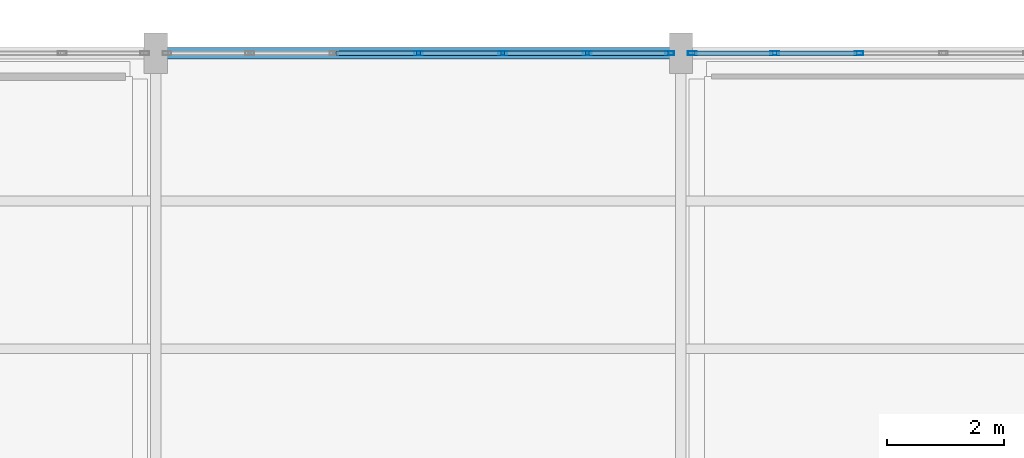
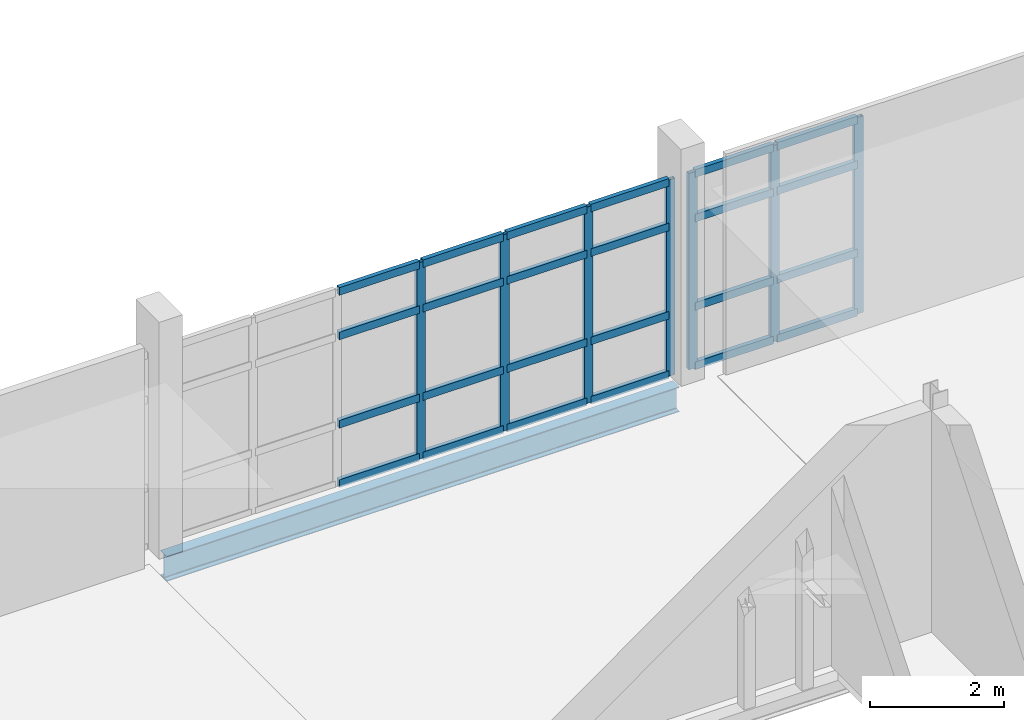
# One storey, part 101 of 174: 31 members, 1 beam, 2 elements without a shape of their own.
"""IFC4 building model written with IfcOpenShell, lengths in metres."""

from ifc_helpers import new_model, si_unit, direction, frame, origin, origin_2d, place, context, subcontext, project, spatial, hollow_rectangle, i_section, extrude, material, material_profile, profile_set, type_object, element, aggregate, save


model = new_model("IFC4")

# Units and contexts
model_context = context("Model", 3, precision=1e-05, world=origin(), true_north=direction((0.0, 1.0)))
body_context = subcontext(model_context, "Body", "Model", "MODEL_VIEW")
ifc_project = project(units=[si_unit("LENGTHUNIT", "METRE"), si_unit("AREAUNIT", "SQUARE_METRE"), si_unit("VOLUMEUNIT", "CUBIC_METRE"), si_unit("PLANEANGLEUNIT", "RADIAN"), si_unit("MASSUNIT", "GRAM", prefix="KILO")], contexts=[model_context])

# Site, building, storey
site_placement = place(None, origin())
site = spatial("IfcSite", under=ifc_project, at=site_placement, CompositionType="ELEMENT")
building_placement = place(site_placement, origin())
building = spatial("IfcBuilding", under=site, at=building_placement, Name="Caisbarro Railhouse Central Library", CompositionType="ELEMENT")
storey_placement = place(building_placement, frame((0.0, 0.0, 5.0400390625)))
storey = spatial("IfcBuildingStorey", under=building, at=storey_placement, Name="L01", CompositionType="ELEMENT", Elevation=5.0400390625)

# Beam
ifc_material_1 = material(Name="Steel ASTM A572 Grade 50", Category="steel")
ifc_material_profile_1 = material_profile(ifc_material_1, i_section(OverallWidth=0.18994140625, OverallDepth=0.45703125, WebThickness=0.009033203125, FlangeThickness=0.014404296875, FilletRadius=0.01806640625, at=origin_2d()), Name="W460X74.0")
ifc_profile_set_1 = profile_set([ifc_material_profile_1], Name="Steel ASTM A572 Grade 50")
beam_type = type_object("IfcBeamType", Name="BM-SP01", PredefinedType="SPANDREL", material=ifc_profile_set_1)
beam_placement = place(storey_placement, frame((81.080078125, 114.0, -0.428466796875), z_axis=(1.0, 0.0, 0.0), x_axis=(0.0, 1.0, 0.0)))
element("IfcBeam", 1, at=beam_placement, inside=storey, type_object=beam_type, Name="SP01 beam L01 #1182", PredefinedType="SPANDREL", context=body_context, shape_type="SweptSolid", body=[
    extrude(i_section(OverallWidth=0.18994140625, OverallDepth=0.45703125, WebThickness=0.009033203125, FlangeThickness=0.014404296875, FilletRadius=0.01806640625, at=origin_2d()), origin(), (0.0, 0.0, 1.0), 8.83984375),
])

# Curtain wall, members
ifc_material_2 = material(Name="Anodised architectural aluminium", Category="aluminium")
curtain_wall_type = type_object("IfcCurtainWallType", Name="CW-CW03", PredefinedType="NOTDEFINED", material=ifc_material_2)
curtain_wall_1_placement = place(storey_placement, origin())
curtain_wall_1 = element("IfcCurtainWall", 2, at=curtain_wall_1_placement, inside=storey, type_object=curtain_wall_type, Name="CW03 curtain wall L01 #177", PredefinedType="NOTDEFINED")
ifc_material_profile_2 = material_profile(ifc_material_2, hollow_rectangle(XDim=0.06494140625, YDim=0.14990234375, WallThickness=0.00390625, at=origin_2d()), Name="ALU-MUL-65X150")
ifc_profile_set_2 = profile_set([ifc_material_profile_2], Name="Anodised architectural aluminium")
member_type_1 = type_object("IfcMemberType", Name="CWM-M02", PredefinedType="MULLION", material=ifc_profile_set_2)
member_1_placement = place(storey_placement, frame((85.5, 114.0, 0.0), z_axis=(0.0, 0.0, 1.0), x_axis=(0.0, 1.0, 0.0)))
member_1 = element("IfcMember", 3, at=member_1_placement, type_object=member_type_1, Name="CW03 mullion 4", PredefinedType="MULLION", context=body_context, shape_type="SweptSolid", body=[
    extrude(hollow_rectangle(XDim=0.06494140625, YDim=0.14990234375, WallThickness=0.00390625, at=origin_2d()), origin(), (0.0, 0.0, 1.0), 3.580078125),
])
member_2_placement = place(storey_placement, frame((86.94677734375, 114.0, 0.0), z_axis=(0.0, 0.0, 1.0), x_axis=(0.0, 1.0, 0.0)))
member_2 = element("IfcMember", 4, at=member_2_placement, type_object=member_type_1, Name="CW03 mullion 5", PredefinedType="MULLION", context=body_context, shape_type="SweptSolid", body=[
    extrude(hollow_rectangle(XDim=0.06494140625, YDim=0.14990234375, WallThickness=0.00390625, at=origin_2d()), origin(), (0.0, 0.0, 1.0), 3.580078125),
])
member_3_placement = place(storey_placement, frame((88.393310546875, 114.0, 0.0), z_axis=(0.0, 0.0, 1.0), x_axis=(0.0, 1.0, 0.0)))
member_3 = element("IfcMember", 5, at=member_3_placement, type_object=member_type_1, Name="CW03 mullion 6", PredefinedType="MULLION", context=body_context, shape_type="SweptSolid", body=[
    extrude(hollow_rectangle(XDim=0.06494140625, YDim=0.14990234375, WallThickness=0.00390625, at=origin_2d()), origin(), (0.0, 0.0, 1.0), 3.580078125),
])
member_4_placement = place(storey_placement, frame((89.8076171875, 114.0, 0.0), z_axis=(0.0, 0.0, 1.0), x_axis=(0.0, 1.0, 0.0)))
member_4 = element("IfcMember", 6, at=member_4_placement, type_object=member_type_1, Name="CW03 mullion 7", PredefinedType="MULLION", context=body_context, shape_type="SweptSolid", body=[
    extrude(hollow_rectangle(XDim=0.06494140625, YDim=0.14990234375, WallThickness=0.00390625, at=origin_2d()), origin(), (0.0, 0.0, 1.0), 3.580078125),
])

curtain_wall_2_placement = place(storey_placement, origin())
curtain_wall_2 = element("IfcCurtainWall", 7, at=curtain_wall_2_placement, inside=storey, type_object=curtain_wall_type, Name="CW03 curtain wall L01 #179", PredefinedType="NOTDEFINED")
member_5_placement = place(storey_placement, frame((90.1923828125, 114.0, 0.0), z_axis=(0.0, 0.0, 1.0), x_axis=(0.0, 1.0, 0.0)))
member_5 = element("IfcMember", 8, at=member_5_placement, type_object=member_type_1, Name="CW03 mullion 1", PredefinedType="MULLION", context=body_context, shape_type="SweptSolid", body=[
    extrude(hollow_rectangle(XDim=0.06494140625, YDim=0.14990234375, WallThickness=0.00390625, at=origin_2d()), origin(), (0.0, 0.0, 1.0), 3.580078125),
])
member_6_placement = place(storey_placement, frame((91.606689453125, 114.0, 0.0), z_axis=(0.0, 0.0, 1.0), x_axis=(0.0, 1.0, 0.0)))
member_6 = element("IfcMember", 9, at=member_6_placement, type_object=member_type_1, Name="CW03 mullion 2", PredefinedType="MULLION", context=body_context, shape_type="SweptSolid", body=[
    extrude(hollow_rectangle(XDim=0.06494140625, YDim=0.14990234375, WallThickness=0.00390625, at=origin_2d()), origin(), (0.0, 0.0, 1.0), 3.580078125),
])
member_7_placement = place(storey_placement, frame((93.05322265625, 114.0, 0.0), z_axis=(0.0, 0.0, 1.0), x_axis=(0.0, 1.0, 0.0)))
member_7 = element("IfcMember", 10, at=member_7_placement, type_object=member_type_1, Name="CW03 mullion 3", PredefinedType="MULLION", context=body_context, shape_type="SweptSolid", body=[
    extrude(hollow_rectangle(XDim=0.06494140625, YDim=0.14990234375, WallThickness=0.00390625, at=origin_2d()), origin(), (0.0, 0.0, 1.0), 3.580078125),
])

# Member
ifc_material_profile_3 = material_profile(ifc_material_2, hollow_rectangle(XDim=0.074951171875, YDim=0.139892578125, WallThickness=0.00390625, at=origin_2d()), Name="ALU-TRN-75X140")
ifc_profile_set_3 = profile_set([ifc_material_profile_3], Name="Anodised architectural aluminium")
member_type_2 = type_object("IfcMemberType", Name="CWT-T01", PredefinedType="USERDEFINED", material=ifc_profile_set_3)
member_8_placement = place(storey_placement, frame((84.0859375, 114.0, 0.037353515625), z_axis=(1.0, 0.0, 0.0), x_axis=(0.0, 1.0, 0.0)))
member_8 = element("IfcMember", 11, at=member_8_placement, type_object=member_type_2, Name="CW03 transom 3.1", ObjectType="TRANSOM", PredefinedType="USERDEFINED", context=body_context, shape_type="SweptSolid", body=[
    extrude(hollow_rectangle(XDim=0.074951171875, YDim=0.139892578125, WallThickness=0.00390625, at=origin_2d()), origin(), (0.0, 0.0, 1.0), 1.381591796875),
])

member_9_placement = place(storey_placement, frame((84.0859375, 114.0, 1.119873046875), z_axis=(1.0, 0.0, 0.0), x_axis=(0.0, 1.0, 0.0)))
member_9 = element("IfcMember", 12, at=member_9_placement, type_object=member_type_2, Name="CW03 transom 3.2", ObjectType="TRANSOM", PredefinedType="USERDEFINED", context=body_context, shape_type="SweptSolid", body=[
    extrude(hollow_rectangle(XDim=0.074951171875, YDim=0.139892578125, WallThickness=0.00390625, at=origin_2d()), origin(), (0.0, 0.0, 1.0), 1.381591796875),
])

member_10_placement = place(storey_placement, frame((84.0859375, 114.0, 2.72998046875), z_axis=(1.0, 0.0, 0.0), x_axis=(0.0, 1.0, 0.0)))
member_10 = element("IfcMember", 13, at=member_10_placement, type_object=member_type_2, Name="CW03 transom 3.3", ObjectType="TRANSOM", PredefinedType="USERDEFINED", context=body_context, shape_type="SweptSolid", body=[
    extrude(hollow_rectangle(XDim=0.074951171875, YDim=0.139892578125, WallThickness=0.00390625, at=origin_2d()), origin(), (0.0, 0.0, 1.0), 1.381591796875),
])

member_11_placement = place(storey_placement, frame((84.0859375, 114.0, 3.54248046875), z_axis=(1.0, 0.0, 0.0), x_axis=(0.0, 1.0, 0.0)))
member_11 = element("IfcMember", 14, at=member_11_placement, type_object=member_type_2, Name="CW03 transom 3.4", ObjectType="TRANSOM", PredefinedType="USERDEFINED", context=body_context, shape_type="SweptSolid", body=[
    extrude(hollow_rectangle(XDim=0.074951171875, YDim=0.139892578125, WallThickness=0.00390625, at=origin_2d()), origin(), (0.0, 0.0, 1.0), 1.381591796875),
])

member_12_placement = place(storey_placement, frame((85.532470703125, 114.0, 0.037353515625), z_axis=(1.0, 0.0, 0.0), x_axis=(0.0, 1.0, 0.0)))
member_12 = element("IfcMember", 15, at=member_12_placement, type_object=member_type_2, Name="CW03 transom 4.1", ObjectType="TRANSOM", PredefinedType="USERDEFINED", context=body_context, shape_type="SweptSolid", body=[
    extrude(hollow_rectangle(XDim=0.074951171875, YDim=0.139892578125, WallThickness=0.00390625, at=origin_2d()), origin(), (0.0, 0.0, 1.0), 1.381591796875),
])

member_13_placement = place(storey_placement, frame((85.532470703125, 114.0, 1.119873046875), z_axis=(1.0, 0.0, 0.0), x_axis=(0.0, 1.0, 0.0)))
member_13 = element("IfcMember", 16, at=member_13_placement, type_object=member_type_2, Name="CW03 transom 4.2", ObjectType="TRANSOM", PredefinedType="USERDEFINED", context=body_context, shape_type="SweptSolid", body=[
    extrude(hollow_rectangle(XDim=0.074951171875, YDim=0.139892578125, WallThickness=0.00390625, at=origin_2d()), origin(), (0.0, 0.0, 1.0), 1.381591796875),
])

member_14_placement = place(storey_placement, frame((85.532470703125, 114.0, 2.72998046875), z_axis=(1.0, 0.0, 0.0), x_axis=(0.0, 1.0, 0.0)))
member_14 = element("IfcMember", 17, at=member_14_placement, type_object=member_type_2, Name="CW03 transom 4.3", ObjectType="TRANSOM", PredefinedType="USERDEFINED", context=body_context, shape_type="SweptSolid", body=[
    extrude(hollow_rectangle(XDim=0.074951171875, YDim=0.139892578125, WallThickness=0.00390625, at=origin_2d()), origin(), (0.0, 0.0, 1.0), 1.381591796875),
])

member_15_placement = place(storey_placement, frame((85.532470703125, 114.0, 3.54248046875), z_axis=(1.0, 0.0, 0.0), x_axis=(0.0, 1.0, 0.0)))
member_15 = element("IfcMember", 18, at=member_15_placement, type_object=member_type_2, Name="CW03 transom 4.4", ObjectType="TRANSOM", PredefinedType="USERDEFINED", context=body_context, shape_type="SweptSolid", body=[
    extrude(hollow_rectangle(XDim=0.074951171875, YDim=0.139892578125, WallThickness=0.00390625, at=origin_2d()), origin(), (0.0, 0.0, 1.0), 1.381591796875),
])

member_16_placement = place(storey_placement, frame((86.979248046875, 114.0, 0.037353515625), z_axis=(1.0, 0.0, 0.0), x_axis=(0.0, 1.0, 0.0)))
member_16 = element("IfcMember", 19, at=member_16_placement, type_object=member_type_2, Name="CW03 transom 5.1", ObjectType="TRANSOM", PredefinedType="USERDEFINED", context=body_context, shape_type="SweptSolid", body=[
    extrude(hollow_rectangle(XDim=0.074951171875, YDim=0.139892578125, WallThickness=0.00390625, at=origin_2d()), origin(), (0.0, 0.0, 1.0), 1.381591796875),
])

member_17_placement = place(storey_placement, frame((86.979248046875, 114.0, 1.119873046875), z_axis=(1.0, 0.0, 0.0), x_axis=(0.0, 1.0, 0.0)))
member_17 = element("IfcMember", 20, at=member_17_placement, type_object=member_type_2, Name="CW03 transom 5.2", ObjectType="TRANSOM", PredefinedType="USERDEFINED", context=body_context, shape_type="SweptSolid", body=[
    extrude(hollow_rectangle(XDim=0.074951171875, YDim=0.139892578125, WallThickness=0.00390625, at=origin_2d()), origin(), (0.0, 0.0, 1.0), 1.381591796875),
])

member_18_placement = place(storey_placement, frame((86.979248046875, 114.0, 2.72998046875), z_axis=(1.0, 0.0, 0.0), x_axis=(0.0, 1.0, 0.0)))
member_18 = element("IfcMember", 21, at=member_18_placement, type_object=member_type_2, Name="CW03 transom 5.3", ObjectType="TRANSOM", PredefinedType="USERDEFINED", context=body_context, shape_type="SweptSolid", body=[
    extrude(hollow_rectangle(XDim=0.074951171875, YDim=0.139892578125, WallThickness=0.00390625, at=origin_2d()), origin(), (0.0, 0.0, 1.0), 1.381591796875),
])

member_19_placement = place(storey_placement, frame((86.979248046875, 114.0, 3.54248046875), z_axis=(1.0, 0.0, 0.0), x_axis=(0.0, 1.0, 0.0)))
member_19 = element("IfcMember", 22, at=member_19_placement, type_object=member_type_2, Name="CW03 transom 5.4", ObjectType="TRANSOM", PredefinedType="USERDEFINED", context=body_context, shape_type="SweptSolid", body=[
    extrude(hollow_rectangle(XDim=0.074951171875, YDim=0.139892578125, WallThickness=0.00390625, at=origin_2d()), origin(), (0.0, 0.0, 1.0), 1.381591796875),
])

member_20_placement = place(storey_placement, frame((88.42578125, 114.0, 0.037353515625), z_axis=(1.0, 0.0, 0.0), x_axis=(0.0, 1.0, 0.0)))
member_20 = element("IfcMember", 23, at=member_20_placement, type_object=member_type_2, Name="CW03 transom 6.1", ObjectType="TRANSOM", PredefinedType="USERDEFINED", context=body_context, shape_type="SweptSolid", body=[
    extrude(hollow_rectangle(XDim=0.074951171875, YDim=0.139892578125, WallThickness=0.00390625, at=origin_2d()), origin(), (0.0, 0.0, 1.0), 1.34912109375),
])

member_21_placement = place(storey_placement, frame((88.42578125, 114.0, 1.119873046875), z_axis=(1.0, 0.0, 0.0), x_axis=(0.0, 1.0, 0.0)))
member_21 = element("IfcMember", 24, at=member_21_placement, type_object=member_type_2, Name="CW03 transom 6.2", ObjectType="TRANSOM", PredefinedType="USERDEFINED", context=body_context, shape_type="SweptSolid", body=[
    extrude(hollow_rectangle(XDim=0.074951171875, YDim=0.139892578125, WallThickness=0.00390625, at=origin_2d()), origin(), (0.0, 0.0, 1.0), 1.34912109375),
])

member_22_placement = place(storey_placement, frame((88.42578125, 114.0, 2.72998046875), z_axis=(1.0, 0.0, 0.0), x_axis=(0.0, 1.0, 0.0)))
member_22 = element("IfcMember", 25, at=member_22_placement, type_object=member_type_2, Name="CW03 transom 6.3", ObjectType="TRANSOM", PredefinedType="USERDEFINED", context=body_context, shape_type="SweptSolid", body=[
    extrude(hollow_rectangle(XDim=0.074951171875, YDim=0.139892578125, WallThickness=0.00390625, at=origin_2d()), origin(), (0.0, 0.0, 1.0), 1.34912109375),
])

member_23_placement = place(storey_placement, frame((88.42578125, 114.0, 3.54248046875), z_axis=(1.0, 0.0, 0.0), x_axis=(0.0, 1.0, 0.0)))
member_23 = element("IfcMember", 26, at=member_23_placement, type_object=member_type_2, Name="CW03 transom 6.4", ObjectType="TRANSOM", PredefinedType="USERDEFINED", context=body_context, shape_type="SweptSolid", body=[
    extrude(hollow_rectangle(XDim=0.074951171875, YDim=0.139892578125, WallThickness=0.00390625, at=origin_2d()), origin(), (0.0, 0.0, 1.0), 1.34912109375),
])

aggregate(curtain_wall_1, [member_1, member_2, member_3, member_4, member_8, member_9, member_10, member_11, member_12, member_13, member_14, member_15, member_16, member_17, member_18, member_19, member_20, member_21, member_22, member_23])

member_24_placement = place(storey_placement, frame((90.22509765625, 114.0, 0.037353515625), z_axis=(1.0, 0.0, 0.0), x_axis=(0.0, 1.0, 0.0)))
member_24 = element("IfcMember", 27, at=member_24_placement, type_object=member_type_2, Name="CW03 transom 1.1", ObjectType="TRANSOM", PredefinedType="USERDEFINED", context=body_context, shape_type="SweptSolid", body=[
    extrude(hollow_rectangle(XDim=0.074951171875, YDim=0.139892578125, WallThickness=0.00390625, at=origin_2d()), origin(), (0.0, 0.0, 1.0), 1.34912109375),
])

member_25_placement = place(storey_placement, frame((90.22509765625, 114.0, 1.119873046875), z_axis=(1.0, 0.0, 0.0), x_axis=(0.0, 1.0, 0.0)))
member_25 = element("IfcMember", 28, at=member_25_placement, type_object=member_type_2, Name="CW03 transom 1.2", ObjectType="TRANSOM", PredefinedType="USERDEFINED", context=body_context, shape_type="SweptSolid", body=[
    extrude(hollow_rectangle(XDim=0.074951171875, YDim=0.139892578125, WallThickness=0.00390625, at=origin_2d()), origin(), (0.0, 0.0, 1.0), 1.34912109375),
])

member_26_placement = place(storey_placement, frame((90.22509765625, 114.0, 2.72998046875), z_axis=(1.0, 0.0, 0.0), x_axis=(0.0, 1.0, 0.0)))
member_26 = element("IfcMember", 29, at=member_26_placement, type_object=member_type_2, Name="CW03 transom 1.3", ObjectType="TRANSOM", PredefinedType="USERDEFINED", context=body_context, shape_type="SweptSolid", body=[
    extrude(hollow_rectangle(XDim=0.074951171875, YDim=0.139892578125, WallThickness=0.00390625, at=origin_2d()), origin(), (0.0, 0.0, 1.0), 1.34912109375),
])

member_27_placement = place(storey_placement, frame((90.22509765625, 114.0, 3.54248046875), z_axis=(1.0, 0.0, 0.0), x_axis=(0.0, 1.0, 0.0)))
member_27 = element("IfcMember", 30, at=member_27_placement, type_object=member_type_2, Name="CW03 transom 1.4", ObjectType="TRANSOM", PredefinedType="USERDEFINED", context=body_context, shape_type="SweptSolid", body=[
    extrude(hollow_rectangle(XDim=0.074951171875, YDim=0.139892578125, WallThickness=0.00390625, at=origin_2d()), origin(), (0.0, 0.0, 1.0), 1.34912109375),
])

member_28_placement = place(storey_placement, frame((91.63916015625, 114.0, 0.037353515625), z_axis=(1.0, 0.0, 0.0), x_axis=(0.0, 1.0, 0.0)))
member_28 = element("IfcMember", 31, at=member_28_placement, type_object=member_type_2, Name="CW03 transom 2.1", ObjectType="TRANSOM", PredefinedType="USERDEFINED", context=body_context, shape_type="SweptSolid", body=[
    extrude(hollow_rectangle(XDim=0.074951171875, YDim=0.139892578125, WallThickness=0.00390625, at=origin_2d()), origin(), (0.0, 0.0, 1.0), 1.381591796875),
])

member_29_placement = place(storey_placement, frame((91.63916015625, 114.0, 1.119873046875), z_axis=(1.0, 0.0, 0.0), x_axis=(0.0, 1.0, 0.0)))
member_29 = element("IfcMember", 32, at=member_29_placement, type_object=member_type_2, Name="CW03 transom 2.2", ObjectType="TRANSOM", PredefinedType="USERDEFINED", context=body_context, shape_type="SweptSolid", body=[
    extrude(hollow_rectangle(XDim=0.074951171875, YDim=0.139892578125, WallThickness=0.00390625, at=origin_2d()), origin(), (0.0, 0.0, 1.0), 1.381591796875),
])

member_30_placement = place(storey_placement, frame((91.63916015625, 114.0, 2.72998046875), z_axis=(1.0, 0.0, 0.0), x_axis=(0.0, 1.0, 0.0)))
member_30 = element("IfcMember", 33, at=member_30_placement, type_object=member_type_2, Name="CW03 transom 2.3", ObjectType="TRANSOM", PredefinedType="USERDEFINED", context=body_context, shape_type="SweptSolid", body=[
    extrude(hollow_rectangle(XDim=0.074951171875, YDim=0.139892578125, WallThickness=0.00390625, at=origin_2d()), origin(), (0.0, 0.0, 1.0), 1.381591796875),
])

member_31_placement = place(storey_placement, frame((91.63916015625, 114.0, 3.54248046875), z_axis=(1.0, 0.0, 0.0), x_axis=(0.0, 1.0, 0.0)))
member_31 = element("IfcMember", 34, at=member_31_placement, type_object=member_type_2, Name="CW03 transom 2.4", ObjectType="TRANSOM", PredefinedType="USERDEFINED", context=body_context, shape_type="SweptSolid", body=[
    extrude(hollow_rectangle(XDim=0.074951171875, YDim=0.139892578125, WallThickness=0.00390625, at=origin_2d()), origin(), (0.0, 0.0, 1.0), 1.381591796875),
])

aggregate(curtain_wall_2, [member_5, member_6, member_7, member_24, member_25, member_26, member_27, member_28, member_29, member_30, member_31])

save(model, "model.ifc")
